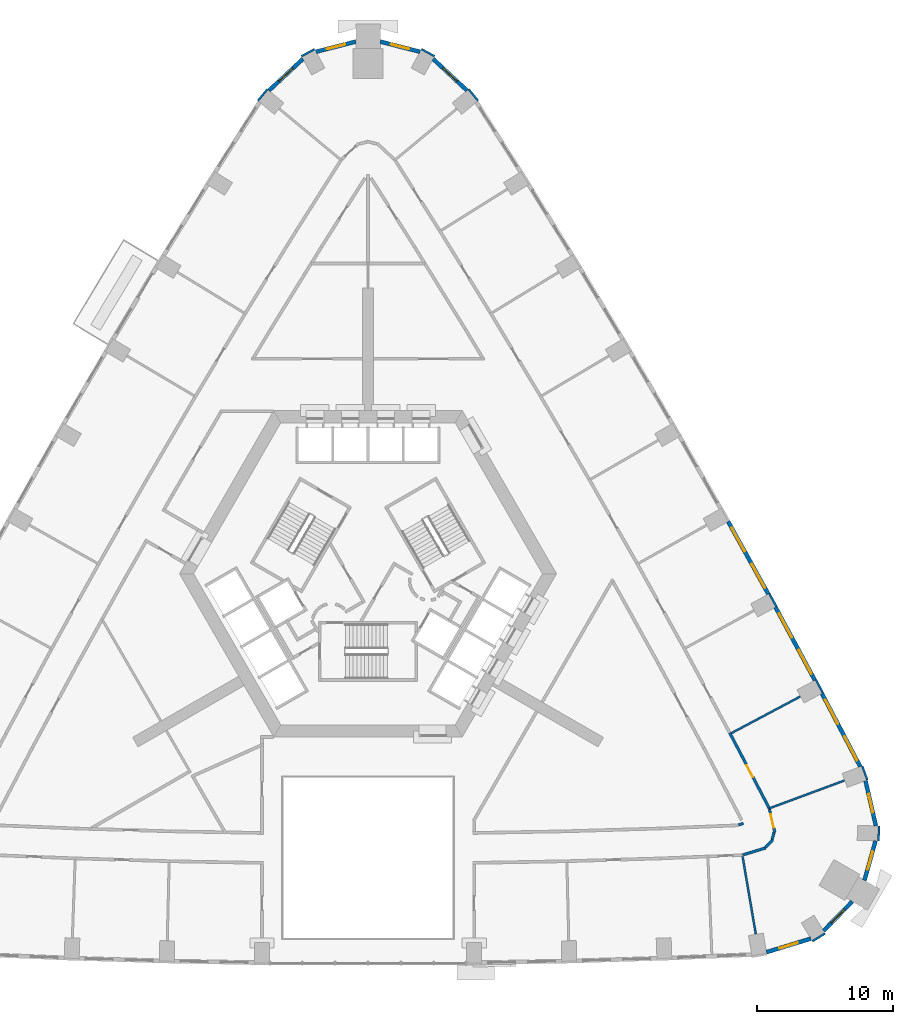
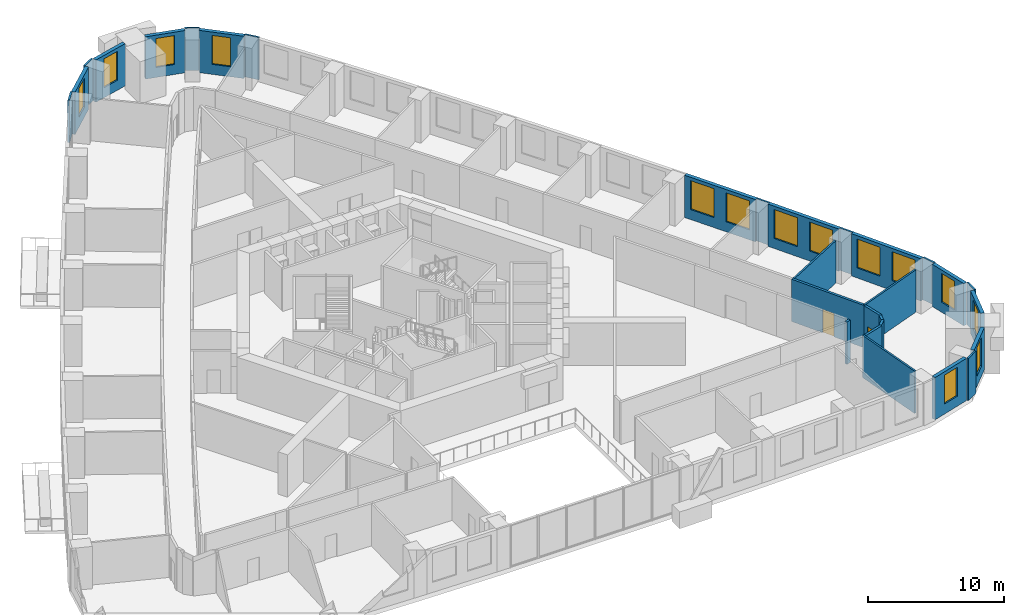
# One storey, part 11 of 16: 29 walls, 14 windows, 2 doors, 16 openings.
"""IFC4 building model written with IfcOpenShell, lengths in metres."""

from ifc_helpers import new_model, si_unit, direction, frame, frame_2d, origin, place, context, subcontext, project, spatial, rectangle, extrude, material, layer, layer_set, type_object, element, fill, save


model = new_model("IFC4")

# Units and contexts
model_context = context("Model", 3, precision=1e-05, world=origin(), true_north=direction((0.0, 1.0)))
body_context = subcontext(model_context, "Body", "Model", "MODEL_VIEW")
ifc_project = project(units=[si_unit("LENGTHUNIT", "METRE"), si_unit("AREAUNIT", "SQUARE_METRE"), si_unit("VOLUMEUNIT", "CUBIC_METRE"), si_unit("PLANEANGLEUNIT", "RADIAN"), si_unit("MASSUNIT", "GRAM", prefix="KILO")], contexts=[model_context])

# Site, building, storey
site_placement = place(None, origin())
site = spatial("IfcSite", under=ifc_project, at=site_placement, CompositionType="ELEMENT")
building_placement = place(site_placement, origin())
building = spatial("IfcBuilding", under=site, at=building_placement, Name="Entoto Arch Interchange Tower", CompositionType="ELEMENT")
storey_placement = place(building_placement, frame((0.0, 0.0, 95.0)))
storey = spatial("IfcBuildingStorey", under=building, at=storey_placement, Name="L20", CompositionType="ELEMENT", Elevation=95.0)

# Walls
ifc_material_1 = material(Name="Gypsum board partition on steel studs", Category="steel")
ifc_layer_1 = layer(ifc_material_1, 0.14990234375)
ifc_layer_set_1 = layer_set([ifc_layer_1], Name="Gypsum board partition on steel studs")
wall_type_1 = type_object("IfcWallType", Name="PARTITION 150", PredefinedType="PARTITIONING", material=ifc_layer_set_1)
wall_1_placement = place(storey_placement, frame((27.49609375, -18.073974609375, 0.0), z_axis=(0.0, 0.0, 1.0), x_axis=(0.168025125373, -0.985782712997, 0.0)))
element("IfcWall", 1, at=wall_1_placement, inside=storey, type_object=wall_type_1, Name="wall:L20:p113", PredefinedType="PARTITIONING", context=body_context, shape_type="SweptSolid", body=[
    extrude(rectangle(XDim=5.9921875, YDim=0.14990234375, at=frame_2d((2.99609375, 0.0))), origin(), (0.0, 0.0, 1.0), 3.800048828125),
])
wall_2_placement = place(storey_placement, frame((29.493896484375, -14.740966796875, 0.0), z_axis=(0.0, 0.0, 1.0), x_axis=(0.937719767819, 0.347392626636, 0.0)))
element("IfcWall", 2, at=wall_2_placement, inside=storey, type_object=wall_type_1, Name="wall:L20:p114", PredefinedType="PARTITIONING", context=body_context, shape_type="SweptSolid", body=[
    extrude(rectangle(XDim=5.89208984375, YDim=0.14990234375, at=frame_2d((2.946044921875, 0.0))), origin(), (0.0, 0.0, 1.0), 3.800048828125),
])
wall_3_placement = place(storey_placement, frame((26.708984375, -9.2109375, 0.0), z_axis=(0.0, 0.0, 1.0), x_axis=(0.883057238515, 0.46926529118, 0.0)))
element("IfcWall", 3, at=wall_3_placement, inside=storey, type_object=wall_type_1, Name="wall:L20:p115", PredefinedType="PARTITIONING", context=body_context, shape_type="SweptSolid", body=[
    extrude(rectangle(XDim=5.730224609375, YDim=0.14990234375, at=frame_2d((2.865234375, 0.0))), origin(), (0.0, 0.0, 1.0), 3.800048828125),
])
ifc_layer_2 = layer(ifc_material_1, 0.199951171875)
ifc_layer_set_2 = layer_set([ifc_layer_2], Name="Gypsum board partition on steel studs")
wall_type_2 = type_object("IfcWallType", Name="PARTITION 200", PredefinedType="PARTITIONING", material=ifc_layer_set_2)
wall_4_placement = place(storey_placement, frame((27.235107421875, -15.95703125, 0.0), z_axis=(0.0, 0.0, 1.0), x_axis=(0.956017741345, 0.293308844453, 0.0)))
element("IfcWall", 4, at=wall_4_placement, inside=storey, type_object=wall_type_2, Name="wall:L20:p015", PredefinedType="PARTITIONING", context=body_context, shape_type="SweptSolid", body=[
    extrude(rectangle(XDim=0.37548828125, YDim=0.199951171875, at=frame_2d((0.187744140625, 0.0))), origin(), (0.0, 0.0, 1.0), 3.800048828125),
])

# Wall, opening, door
wall_5_placement = place(storey_placement, frame((29.51708984375, -14.837890625, 0.0), z_axis=(0.0, 0.0, 1.0), x_axis=(0.224316169854, -0.974516421587, 0.0)))
wall_5 = element("IfcWall", 5, at=wall_5_placement, inside=storey, type_object=wall_type_2, Name="wall:L20:p035", PredefinedType="PARTITIONING", context=body_context, shape_type="SweptSolid", body=[
    extrude(rectangle(XDim=1.70654296875, YDim=0.199951171875, at=frame_2d((0.853271484375, 0.0))), origin(), (0.0, 0.0, 1.0), 3.800048828125),
])
opening_1_placement = place(wall_5_placement, frame((0.35302734375, 0.0, 0.0)))
opening_1 = element("IfcOpeningElement", 6, at=opening_1_placement, cuts=wall_5, Name="Opening L20-D04", PredefinedType="OPENING", context=body_context, shape_type="SweptSolid", body=[
    extrude(rectangle(XDim=1.0, YDim=2.10009765625, at=frame_2d((0.5, 1.050048828125))), frame((0.0, 0.10986328125, 0.0), z_axis=(0.0, -1.0, 0.0), x_axis=(1.0, 0.0, 0.0)), (0.0, 0.0, 1.0), 0.219970703125),
])
ifc_material_2 = material(Name="Timber door leaf in Steel S235 frame", Category="steel")
door_type = type_object("IfcDoorType", Name="DOOR DS-10 1000x2100", OperationType="SINGLE_SWING_LEFT", PredefinedType="DOOR", material=ifc_material_2)
door_1_placement = place(opening_1_placement, origin())
door_1 = element("IfcDoor", 7, at=door_1_placement, inside=storey, type_object=door_type, Name="door:L20:04", OperationType="SINGLE_SWING_RIGHT", OverallHeight=2.10009765625, OverallWidth=1.0, PredefinedType="DOOR", context=body_context, shape_type="SweptSolid", body=[
    extrude(rectangle(XDim=1.0, YDim=2.10009765625, at=frame_2d((0.5, 1.050048828125))), frame((0.0, 0.02490234375, 0.0), z_axis=(0.0, -1.0, 0.0), x_axis=(1.0, 0.0, 0.0)), (0.0, 0.0, 1.0), 0.050048828125),
])
fill(opening_1, door_1)

# Walls
wall_6_placement = place(storey_placement, frame((29.85107421875, -16.5, 0.0), z_axis=(0.0, 0.0, 1.0), x_axis=(-0.269792639482, -0.962918444979, 0.0)))
element("IfcWall", 8, at=wall_6_placement, inside=storey, type_object=wall_type_2, Name="wall:L20:p036", PredefinedType="PARTITIONING", context=body_context, shape_type="SweptSolid", body=[
    extrude(rectangle(XDim=0.556640625, YDim=0.199951171875, at=frame_2d((0.2783203125, 0.0))), origin(), (0.0, 0.0, 1.0), 3.800048828125),
])
wall_7_placement = place(storey_placement, frame((29.742919921875, -17.06103515625, 0.0), z_axis=(0.0, 0.0, 1.0), x_axis=(-0.698331924638, -0.715774072617, 0.0)))
element("IfcWall", 9, at=wall_7_placement, inside=storey, type_object=wall_type_2, Name="wall:L20:p037", PredefinedType="PARTITIONING", context=body_context, shape_type="SweptSolid", body=[
    extrude(rectangle(XDim=0.755859375, YDim=0.199951171875, at=frame_2d((0.3779296875, 0.0))), origin(), (0.0, 0.0, 1.0), 3.800048828125),
])
wall_8_placement = place(storey_placement, frame((29.239990234375, -17.64404296875, 0.0), z_axis=(0.0, 0.0, 1.0), x_axis=(-0.956137025409, -0.292919764852, 0.0)))
element("IfcWall", 10, at=wall_8_placement, inside=storey, type_object=wall_type_2, Name="wall:L20:p038", PredefinedType="PARTITIONING", context=body_context, shape_type="SweptSolid", body=[
    extrude(rectangle(XDim=1.70703125, YDim=0.199951171875, at=frame_2d((0.853515625, 0.0))), origin(), (0.0, 0.0, 1.0), 3.800048828125),
])

# Wall, opening, door
wall_9_placement = place(storey_placement, frame((26.5859375, -9.19091796875, 0.0), z_axis=(0.0, 0.0, 1.0), x_axis=(0.46422194761, -0.885718907643, 0.0)))
wall_9 = element("IfcWall", 11, at=wall_9_placement, inside=storey, type_object=wall_type_2, Name="wall:L20:p039", PredefinedType="PARTITIONING", context=body_context, shape_type="SweptSolid", body=[
    extrude(rectangle(XDim=6.36572265625, YDim=0.199951171875, at=frame_2d((3.182861328125, 0.0))), origin(), (0.0, 0.0, 1.0), 3.800048828125),
])
opening_2_placement = place(wall_9_placement, frame((2.68310546875, 0.0, 0.0)))
opening_2 = element("IfcOpeningElement", 12, at=opening_2_placement, cuts=wall_9, Name="Opening L20-D05", PredefinedType="OPENING", context=body_context, shape_type="SweptSolid", body=[
    extrude(rectangle(XDim=1.0, YDim=2.10009765625, at=frame_2d((0.5, 1.050048828125))), frame((0.0, 0.10986328125, 0.0), z_axis=(0.0, -1.0, 0.0), x_axis=(1.0, 0.0, 0.0)), (0.0, 0.0, 1.0), 0.219970703125),
])
door_2_placement = place(opening_2_placement, origin())
door_2 = element("IfcDoor", 13, at=door_2_placement, inside=storey, type_object=door_type, Name="door:L20:05", OperationType="SINGLE_SWING_LEFT", OverallHeight=2.10009765625, OverallWidth=1.0, PredefinedType="DOOR", context=body_context, shape_type="SweptSolid", body=[
    extrude(rectangle(XDim=1.0, YDim=2.10009765625, at=frame_2d((0.5, 1.050048828125))), frame((0.0, 0.02490234375, 0.0), z_axis=(0.0, -1.0, 0.0), x_axis=(1.0, 0.0, 0.0)), (0.0, 0.0, 1.0), 0.050048828125),
])
fill(opening_2, door_2)

# Wall, opening, window
ifc_material_3 = material(Name="Welded tuff (ignimbrite) cladding, warm buff", Category="masonry")
ifc_layer_3 = layer(ifc_material_3, 0.300048828125)
ifc_layer_set_3 = layer_set([ifc_layer_3], Name="Welded tuff (ignimbrite) cladding, warm buff")
wall_type_3 = type_object("IfcWallType", Name="STONE INFILL WALL 300", PredefinedType="STANDARD", material=ifc_layer_set_3)
wall_10_placement = place(storey_placement, frame((29.2880859375, -25.31591796875, 0.0), z_axis=(0.0, 0.0, 1.0), x_axis=(0.956317661006, 0.292329490895, 0.0)))
wall_10 = element("IfcWall", 14, at=wall_10_placement, inside=storey, type_object=wall_type_3, Name="Facade wall SE-01 L20", PredefinedType="STANDARD", context=body_context, shape_type="SweptSolid", body=[
    extrude(rectangle(XDim=3.409912109375, YDim=0.300048828125, at=frame_2d((1.705078125, 0.0))), origin(), (0.0, 0.0, 1.0), 3.800048828125),
])
opening_3_placement = place(wall_10_placement, frame((1.0048828125, 0.0, 0.89990234375)))
opening_3 = element("IfcOpeningElement", 15, at=opening_3_placement, cuts=wall_10, Name="Opening WO-B", PredefinedType="OPENING", context=body_context, shape_type="SweptSolid", body=[
    extrude(rectangle(XDim=1.39990234375, YDim=2.60009765625, at=frame_2d((0.699951171875, 1.300048828125))), frame((0.0, 0.16015625, 0.0), z_axis=(0.0, -1.0, 0.0), x_axis=(1.0, 0.0, 0.0)), (0.0, 0.0, 1.0), 0.320068359375),
])
ifc_material_4 = material(Name="Clear glass, low-e double glazed", Category="glass")
window_type_1 = type_object("IfcWindowType", Name="WINDOW WO-B 1400x2600", PartitioningType="DOUBLE_PANEL_VERTICAL", PredefinedType="WINDOW", material=ifc_material_4)
window_1_placement = place(opening_3_placement, origin())
window_1 = element("IfcWindow", 16, at=window_1_placement, inside=storey, type_object=window_type_1, Name="Window WO-B SE-01 L20", OverallHeight=2.60009765625, OverallWidth=1.39990234375, PartitioningType="SINGLE_PANEL", PredefinedType="WINDOW", context=body_context, shape_type="SweptSolid", body=[
    extrude(rectangle(XDim=1.39990234375, YDim=2.60009765625, at=frame_2d((0.699951171875, 1.300048828125))), frame((0.0, 0.030029296875, 0.0), z_axis=(0.0, -1.0, 0.0), x_axis=(1.0, 0.0, 0.0)), (0.0, 0.0, 1.0), 0.06005859375),
])
fill(opening_3, window_1)

wall_11_placement = place(storey_placement, frame((33.486083984375, -23.7470703125, 0.0), z_axis=(0.0, 0.0, 1.0), x_axis=(0.698928244773, 0.715191798512, 0.0)))
wall_11 = element("IfcWall", 17, at=wall_11_placement, inside=storey, type_object=wall_type_3, Name="Facade wall SE-02 L20", PredefinedType="STANDARD", context=body_context, shape_type="SweptSolid", body=[
    extrude(rectangle(XDim=3.017333984375, YDim=0.300048828125, at=frame_2d((1.5087890625, 0.0))), origin(), (0.0, 0.0, 1.0), 3.800048828125),
])
opening_4_placement = place(wall_11_placement, frame((0.80908203125, 0.0, 0.89990234375)))
opening_4 = element("IfcOpeningElement", 18, at=opening_4_placement, cuts=wall_11, Name="Opening WO-B", PredefinedType="OPENING", context=body_context, shape_type="SweptSolid", body=[
    extrude(rectangle(XDim=1.39990234375, YDim=2.60009765625, at=frame_2d((0.699951171875, 1.300048828125))), frame((0.0, 0.16015625, 0.0), z_axis=(0.0, -1.0, 0.0), x_axis=(1.0, 0.0, 0.0)), (0.0, 0.0, 1.0), 0.320068359375),
])
window_2_placement = place(opening_4_placement, origin())
window_2 = element("IfcWindow", 19, at=window_2_placement, inside=storey, type_object=window_type_1, Name="Window WO-B SE-02 L20", OverallHeight=2.60009765625, OverallWidth=1.39990234375, PartitioningType="SINGLE_PANEL", PredefinedType="WINDOW", context=body_context, shape_type="SweptSolid", body=[
    extrude(rectangle(XDim=1.39990234375, YDim=2.60009765625, at=frame_2d((0.699951171875, 1.300048828125))), frame((0.0, 0.030029296875, 0.0), z_axis=(0.0, -1.0, 0.0), x_axis=(1.0, 0.0, 0.0)), (0.0, 0.0, 1.0), 0.06005859375),
])
fill(opening_4, window_2)

wall_12_placement = place(storey_placement, frame((36.493896484375, -20.031982421875, 0.0), z_axis=(0.0, 0.0, 1.0), x_axis=(0.270176120308, 0.962810918102, 0.0)))
wall_12 = element("IfcWall", 20, at=wall_12_placement, inside=storey, type_object=wall_type_3, Name="Facade wall SE-03 L20", PredefinedType="STANDARD", context=body_context, shape_type="SweptSolid", body=[
    extrude(rectangle(XDim=3.017333984375, YDim=0.300048828125, at=frame_2d((1.5087890625, 0.0))), origin(), (0.0, 0.0, 1.0), 3.800048828125),
])
opening_5_placement = place(wall_12_placement, frame((0.80908203125, 0.0, 0.89990234375)))
opening_5 = element("IfcOpeningElement", 21, at=opening_5_placement, cuts=wall_12, Name="Opening WO-B", PredefinedType="OPENING", context=body_context, shape_type="SweptSolid", body=[
    extrude(rectangle(XDim=1.39990234375, YDim=2.60009765625, at=frame_2d((0.699951171875, 1.300048828125))), frame((0.0, 0.16015625, 0.0), z_axis=(0.0, -1.0, 0.0), x_axis=(1.0, 0.0, 0.0)), (0.0, 0.0, 1.0), 0.320068359375),
])
window_3_placement = place(opening_5_placement, origin())
window_3 = element("IfcWindow", 22, at=window_3_placement, inside=storey, type_object=window_type_1, Name="Window WO-B SE-03 L20", OverallHeight=2.60009765625, OverallWidth=1.39990234375, PartitioningType="SINGLE_PANEL", PredefinedType="WINDOW", context=body_context, shape_type="SweptSolid", body=[
    extrude(rectangle(XDim=1.39990234375, YDim=2.60009765625, at=frame_2d((0.699951171875, 1.300048828125))), frame((0.0, 0.030029296875, 0.0), z_axis=(0.0, -1.0, 0.0), x_axis=(1.0, 0.0, 0.0)), (0.0, 0.0, 1.0), 0.06005859375),
])
fill(opening_5, window_3)

wall_13_placement = place(storey_placement, frame((37.3349609375, -16.029052734375, 0.0), z_axis=(0.0, 0.0, 1.0), x_axis=(-0.224859506699, 0.974391195695, 0.0)))
wall_13 = element("IfcWall", 23, at=wall_13_placement, inside=storey, type_object=wall_type_3, Name="Facade wall SE-04 L20", PredefinedType="STANDARD", context=body_context, shape_type="SweptSolid", body=[
    extrude(rectangle(XDim=3.410400390625, YDim=0.300048828125, at=frame_2d((1.705078125, 0.0))), origin(), (0.0, 0.0, 1.0), 3.800048828125),
])
opening_6_placement = place(wall_13_placement, frame((1.0048828125, 0.0, 0.89990234375)))
opening_6 = element("IfcOpeningElement", 24, at=opening_6_placement, cuts=wall_13, Name="Opening WO-B", PredefinedType="OPENING", context=body_context, shape_type="SweptSolid", body=[
    extrude(rectangle(XDim=1.39990234375, YDim=2.60009765625, at=frame_2d((0.699951171875, 1.300048828125))), frame((0.0, 0.16015625, 0.0), z_axis=(0.0, -1.0, 0.0), x_axis=(1.0, 0.0, 0.0)), (0.0, 0.0, 1.0), 0.320068359375),
])
window_4_placement = place(opening_6_placement, origin())
window_4 = element("IfcWindow", 25, at=window_4_placement, inside=storey, type_object=window_type_1, Name="Window WO-B SE-04 L20", OverallHeight=2.60009765625, OverallWidth=1.39990234375, PartitioningType="SINGLE_PANEL", PredefinedType="WINDOW", context=body_context, shape_type="SweptSolid", body=[
    extrude(rectangle(XDim=1.39990234375, YDim=2.60009765625, at=frame_2d((0.699951171875, 1.300048828125))), frame((0.0, 0.030029296875, 0.0), z_axis=(0.0, -1.0, 0.0), x_axis=(1.0, 0.0, 0.0)), (0.0, 0.0, 1.0), 0.06005859375),
])
fill(opening_6, window_4)

# Wall, openings, windows
wall_14_placement = place(storey_placement, frame((36.18603515625, -11.676025390625, 0.0), z_axis=(0.0, 0.0, 1.0), x_axis=(-0.464187178015, 0.885737130173, 0.0)))
wall_14 = element("IfcWall", 26, at=wall_14_placement, inside=storey, type_object=wall_type_3, Name="Facade wall NE-01 L20", PredefinedType="STANDARD", context=body_context, shape_type="SweptSolid", body=[
    extrude(rectangle(XDim=6.0751953125, YDim=0.300048828125, at=frame_2d((3.03759765625, 0.0))), origin(), (0.0, 0.0, 1.0), 3.800048828125),
])
opening_7_placement = place(wall_14_placement, frame((0.51904296875, 0.0, 0.89990234375)))
opening_7 = element("IfcOpeningElement", 27, at=opening_7_placement, cuts=wall_14, Name="Opening WO-C", PredefinedType="OPENING", context=body_context, shape_type="SweptSolid", body=[
    extrude(rectangle(XDim=2.0, YDim=2.60009765625, at=frame_2d((1.0, 1.300048828125))), frame((0.0, 0.16015625, 0.0), z_axis=(0.0, -1.0, 0.0), x_axis=(1.0, 0.0, 0.0)), (0.0, 0.0, 1.0), 0.320068359375),
])
opening_8_placement = place(wall_14_placement, frame((3.555908203125, 0.0, 0.89990234375)))
opening_8 = element("IfcOpeningElement", 28, at=opening_8_placement, cuts=wall_14, Name="Opening WO-C", PredefinedType="OPENING", context=body_context, shape_type="SweptSolid", body=[
    extrude(rectangle(XDim=2.0, YDim=2.60009765625, at=frame_2d((1.0, 1.300048828125))), frame((0.0, 0.16015625, 0.0), z_axis=(0.0, -1.0, 0.0), x_axis=(1.0, 0.0, 0.0)), (0.0, 0.0, 1.0), 0.320068359375),
])
window_type_2 = type_object("IfcWindowType", Name="WINDOW WO-C 2000x2600", PartitioningType="DOUBLE_PANEL_VERTICAL", PredefinedType="WINDOW", material=ifc_material_4)
window_5_placement = place(opening_7_placement, origin())
window_5 = element("IfcWindow", 29, at=window_5_placement, inside=storey, type_object=window_type_2, Name="Window WO-C NE-01 L20", OverallHeight=2.60009765625, OverallWidth=2.0, PartitioningType="SINGLE_PANEL", PredefinedType="WINDOW", context=body_context, shape_type="SweptSolid", body=[
    extrude(rectangle(XDim=2.0, YDim=2.60009765625, at=frame_2d((1.0, 1.300048828125))), frame((0.0, 0.030029296875, 0.0), z_axis=(0.0, -1.0, 0.0), x_axis=(1.0, 0.0, 0.0)), (0.0, 0.0, 1.0), 0.06005859375),
])
fill(opening_7, window_5)
window_6_placement = place(opening_8_placement, origin())
window_6 = element("IfcWindow", 30, at=window_6_placement, inside=storey, type_object=window_type_2, Name="Window WO-C NE-01 L20", OverallHeight=2.60009765625, OverallWidth=2.0, PartitioningType="SINGLE_PANEL", PredefinedType="WINDOW", context=body_context, shape_type="SweptSolid", body=[
    extrude(rectangle(XDim=2.0, YDim=2.60009765625, at=frame_2d((1.0, 1.300048828125))), frame((0.0, 0.030029296875, 0.0), z_axis=(0.0, -1.0, 0.0), x_axis=(1.0, 0.0, 0.0)), (0.0, 0.0, 1.0), 0.06005859375),
])
fill(opening_8, window_6)

wall_15_placement = place(storey_placement, frame((32.85107421875, -5.324951171875, 0.0), z_axis=(0.0, 0.0, 1.0), x_axis=(-0.474369552216, 0.880325807829, 0.0)))
wall_15 = element("IfcWall", 31, at=wall_15_placement, inside=storey, type_object=wall_type_3, Name="Facade wall NE-02 L20", PredefinedType="STANDARD", context=body_context, shape_type="SweptSolid", body=[
    extrude(rectangle(XDim=6.098876953125, YDim=0.300048828125, at=frame_2d((3.04931640625, 0.0))), origin(), (0.0, 0.0, 1.0), 3.800048828125),
])
opening_9_placement = place(wall_15_placement, frame((0.52490234375, 0.0, 0.89990234375)))
opening_9 = element("IfcOpeningElement", 32, at=opening_9_placement, cuts=wall_15, Name="Opening WO-C", PredefinedType="OPENING", context=body_context, shape_type="SweptSolid", body=[
    extrude(rectangle(XDim=2.0, YDim=2.60009765625, at=frame_2d((1.0, 1.300048828125))), frame((0.0, 0.16015625, 0.0), z_axis=(0.0, -1.0, 0.0), x_axis=(1.0, 0.0, 0.0)), (0.0, 0.0, 1.0), 0.320068359375),
])
opening_10_placement = place(wall_15_placement, frame((3.573974609375, 0.0, 0.89990234375)))
opening_10 = element("IfcOpeningElement", 33, at=opening_10_placement, cuts=wall_15, Name="Opening WO-C", PredefinedType="OPENING", context=body_context, shape_type="SweptSolid", body=[
    extrude(rectangle(XDim=2.0, YDim=2.60009765625, at=frame_2d((1.0, 1.300048828125))), frame((0.0, 0.16015625, 0.0), z_axis=(0.0, -1.0, 0.0), x_axis=(1.0, 0.0, 0.0)), (0.0, 0.0, 1.0), 0.320068359375),
])
window_7_placement = place(opening_9_placement, origin())
window_7 = element("IfcWindow", 34, at=window_7_placement, inside=storey, type_object=window_type_2, Name="Window WO-C NE-02 L20", OverallHeight=2.60009765625, OverallWidth=2.0, PartitioningType="SINGLE_PANEL", PredefinedType="WINDOW", context=body_context, shape_type="SweptSolid", body=[
    extrude(rectangle(XDim=2.0, YDim=2.60009765625, at=frame_2d((1.0, 1.300048828125))), frame((0.0, 0.030029296875, 0.0), z_axis=(0.0, -1.0, 0.0), x_axis=(1.0, 0.0, 0.0)), (0.0, 0.0, 1.0), 0.06005859375),
])
fill(opening_9, window_7)
window_8_placement = place(opening_10_placement, origin())
window_8 = element("IfcWindow", 35, at=window_8_placement, inside=storey, type_object=window_type_2, Name="Window WO-C NE-02 L20", OverallHeight=2.60009765625, OverallWidth=2.0, PartitioningType="SINGLE_PANEL", PredefinedType="WINDOW", context=body_context, shape_type="SweptSolid", body=[
    extrude(rectangle(XDim=2.0, YDim=2.60009765625, at=frame_2d((1.0, 1.300048828125))), frame((0.0, 0.030029296875, 0.0), z_axis=(0.0, -1.0, 0.0), x_axis=(1.0, 0.0, 0.0)), (0.0, 0.0, 1.0), 0.06005859375),
])
fill(opening_10, window_8)

wall_16_placement = place(storey_placement, frame((29.430908203125, 1.007080078125, 0.0), z_axis=(0.0, 0.0, 1.0), x_axis=(-0.484823579315, 0.874611969356, 0.0)))
wall_16 = element("IfcWall", 36, at=wall_16_placement, inside=storey, type_object=wall_type_3, Name="Facade wall NE-03 L20", PredefinedType="STANDARD", context=body_context, shape_type="SweptSolid", body=[
    extrude(rectangle(XDim=6.0986328125, YDim=0.300048828125, at=frame_2d((3.04931640625, 0.0))), origin(), (0.0, 0.0, 1.0), 3.800048828125),
])
opening_11_placement = place(wall_16_placement, frame((0.52490234375, 0.0, 0.89990234375)))
opening_11 = element("IfcOpeningElement", 37, at=opening_11_placement, cuts=wall_16, Name="Opening WO-C", PredefinedType="OPENING", context=body_context, shape_type="SweptSolid", body=[
    extrude(rectangle(XDim=2.0, YDim=2.60009765625, at=frame_2d((1.0, 1.300048828125))), frame((0.0, 0.16015625, 0.0), z_axis=(0.0, -1.0, 0.0), x_axis=(1.0, 0.0, 0.0)), (0.0, 0.0, 1.0), 0.320068359375),
])
opening_12_placement = place(wall_16_placement, frame((3.573974609375, 0.0, 0.89990234375)))
opening_12 = element("IfcOpeningElement", 38, at=opening_12_placement, cuts=wall_16, Name="Opening WO-C", PredefinedType="OPENING", context=body_context, shape_type="SweptSolid", body=[
    extrude(rectangle(XDim=2.0, YDim=2.60009765625, at=frame_2d((1.0, 1.300048828125))), frame((0.0, 0.16015625, 0.0), z_axis=(0.0, -1.0, 0.0), x_axis=(1.0, 0.0, 0.0)), (0.0, 0.0, 1.0), 0.320068359375),
])
window_9_placement = place(opening_11_placement, origin())
window_9 = element("IfcWindow", 39, at=window_9_placement, inside=storey, type_object=window_type_2, Name="Window WO-C NE-03 L20", OverallHeight=2.60009765625, OverallWidth=2.0, PartitioningType="SINGLE_PANEL", PredefinedType="WINDOW", context=body_context, shape_type="SweptSolid", body=[
    extrude(rectangle(XDim=2.0, YDim=2.60009765625, at=frame_2d((1.0, 1.300048828125))), frame((0.0, 0.030029296875, 0.0), z_axis=(0.0, -1.0, 0.0), x_axis=(1.0, 0.0, 0.0)), (0.0, 0.0, 1.0), 0.06005859375),
])
fill(opening_11, window_9)
window_10_placement = place(opening_12_placement, origin())
window_10 = element("IfcWindow", 40, at=window_10_placement, inside=storey, type_object=window_type_2, Name="Window WO-C NE-03 L20", OverallHeight=2.60009765625, OverallWidth=2.0, PartitioningType="SINGLE_PANEL", PredefinedType="WINDOW", context=body_context, shape_type="SweptSolid", body=[
    extrude(rectangle(XDim=2.0, YDim=2.60009765625, at=frame_2d((1.0, 1.300048828125))), frame((0.0, 0.030029296875, 0.0), z_axis=(0.0, -1.0, 0.0), x_axis=(1.0, 0.0, 0.0)), (0.0, 0.0, 1.0), 0.06005859375),
])
fill(opening_12, window_10)

# Wall, opening, window
wall_17_placement = place(storey_placement, frame((7.281005859375, 38.02197265625, 0.0), z_axis=(0.0, 0.0, 1.0), x_axis=(-0.731614451791, 0.681718632525, 0.0)))
wall_17 = element("IfcWall", 41, at=wall_17_placement, inside=storey, type_object=wall_type_3, Name="Facade wall N-01 L20", PredefinedType="STANDARD", context=body_context, shape_type="SweptSolid", body=[
    extrude(rectangle(XDim=3.410400390625, YDim=0.300048828125, at=frame_2d((1.705078125, 0.0))), origin(), (0.0, 0.0, 1.0), 3.800048828125),
])
opening_13_placement = place(wall_17_placement, frame((1.0048828125, 0.0, 0.89990234375)))
opening_13 = element("IfcOpeningElement", 42, at=opening_13_placement, cuts=wall_17, Name="Opening WO-B", PredefinedType="OPENING", context=body_context, shape_type="SweptSolid", body=[
    extrude(rectangle(XDim=1.39990234375, YDim=2.60009765625, at=frame_2d((0.699951171875, 1.300048828125))), frame((0.0, 0.16015625, 0.0), z_axis=(0.0, -1.0, 0.0), x_axis=(1.0, 0.0, 0.0)), (0.0, 0.0, 1.0), 0.320068359375),
])
window_11_placement = place(opening_13_placement, origin())
window_11 = element("IfcWindow", 43, at=window_11_placement, inside=storey, type_object=window_type_1, Name="Window WO-B N-01 L20", OverallHeight=2.60009765625, OverallWidth=1.39990234375, PartitioningType="SINGLE_PANEL", PredefinedType="WINDOW", context=body_context, shape_type="SweptSolid", body=[
    extrude(rectangle(XDim=1.39990234375, YDim=2.60009765625, at=frame_2d((0.699951171875, 1.300048828125))), frame((0.0, 0.030029296875, 0.0), z_axis=(0.0, -1.0, 0.0), x_axis=(1.0, 0.0, 0.0)), (0.0, 0.0, 1.0), 0.06005859375),
])
fill(opening_13, window_11)

wall_18_placement = place(storey_placement, frame((3.822998046875, 40.873046875, 0.0), z_axis=(0.0, 0.0, 1.0), x_axis=(-0.96887809306, 0.247538362258, 0.0)))
wall_18 = element("IfcWall", 44, at=wall_18_placement, inside=storey, type_object=wall_type_3, Name="Facade wall N-02 L20", PredefinedType="STANDARD", context=body_context, shape_type="SweptSolid", body=[
    extrude(rectangle(XDim=3.01806640625, YDim=0.300048828125, at=frame_2d((1.509033203125, 0.0))), origin(), (0.0, 0.0, 1.0), 3.800048828125),
])
opening_14_placement = place(wall_18_placement, frame((0.80908203125, 0.0, 0.89990234375)))
opening_14 = element("IfcOpeningElement", 45, at=opening_14_placement, cuts=wall_18, Name="Opening WO-B", PredefinedType="OPENING", context=body_context, shape_type="SweptSolid", body=[
    extrude(rectangle(XDim=1.39990234375, YDim=2.60009765625, at=frame_2d((0.699951171875, 1.300048828125))), frame((0.0, 0.16015625, 0.0), z_axis=(0.0, -1.0, 0.0), x_axis=(1.0, 0.0, 0.0)), (0.0, 0.0, 1.0), 0.320068359375),
])
window_12_placement = place(opening_14_placement, origin())
window_12 = element("IfcWindow", 46, at=window_12_placement, inside=storey, type_object=window_type_1, Name="Window WO-B N-02 L20", OverallHeight=2.60009765625, OverallWidth=1.39990234375, PartitioningType="SINGLE_PANEL", PredefinedType="WINDOW", context=body_context, shape_type="SweptSolid", body=[
    extrude(rectangle(XDim=1.39990234375, YDim=2.60009765625, at=frame_2d((0.699951171875, 1.300048828125))), frame((0.0, 0.030029296875, 0.0), z_axis=(0.0, -1.0, 0.0), x_axis=(1.0, 0.0, 0.0)), (0.0, 0.0, 1.0), 0.06005859375),
])
fill(opening_14, window_12)

wall_19_placement = place(storey_placement, frame((-0.89892578125, 41.6201171875, 0.0), z_axis=(0.0, 0.0, 1.0), x_axis=(-0.96887809306, -0.247538362258, 0.0)))
wall_19 = element("IfcWall", 47, at=wall_19_placement, inside=storey, type_object=wall_type_3, Name="Facade wall N-03 L20", PredefinedType="STANDARD", context=body_context, shape_type="SweptSolid", body=[
    extrude(rectangle(XDim=3.01806640625, YDim=0.300048828125, at=frame_2d((1.509033203125, 0.0))), origin(), (0.0, 0.0, 1.0), 3.800048828125),
])
opening_15_placement = place(wall_19_placement, frame((0.80908203125, 0.0, 0.89990234375)))
opening_15 = element("IfcOpeningElement", 48, at=opening_15_placement, cuts=wall_19, Name="Opening WO-B", PredefinedType="OPENING", context=body_context, shape_type="SweptSolid", body=[
    extrude(rectangle(XDim=1.39990234375, YDim=2.60009765625, at=frame_2d((0.699951171875, 1.300048828125))), frame((0.0, 0.16015625, 0.0), z_axis=(0.0, -1.0, 0.0), x_axis=(1.0, 0.0, 0.0)), (0.0, 0.0, 1.0), 0.320068359375),
])
window_13_placement = place(opening_15_placement, origin())
window_13 = element("IfcWindow", 49, at=window_13_placement, inside=storey, type_object=window_type_1, Name="Window WO-B N-03 L20", OverallHeight=2.60009765625, OverallWidth=1.39990234375, PartitioningType="SINGLE_PANEL", PredefinedType="WINDOW", context=body_context, shape_type="SweptSolid", body=[
    extrude(rectangle(XDim=1.39990234375, YDim=2.60009765625, at=frame_2d((0.699951171875, 1.300048828125))), frame((0.0, 0.030029296875, 0.0), z_axis=(0.0, -1.0, 0.0), x_axis=(1.0, 0.0, 0.0)), (0.0, 0.0, 1.0), 0.06005859375),
])
fill(opening_15, window_13)

wall_20_placement = place(storey_placement, frame((-4.785888671875, 40.346923828125, 0.0), z_axis=(0.0, 0.0, 1.0), x_axis=(-0.731614451791, -0.681718632525, 0.0)))
wall_20 = element("IfcWall", 50, at=wall_20_placement, inside=storey, type_object=wall_type_3, Name="Facade wall N-04 L20", PredefinedType="STANDARD", context=body_context, shape_type="SweptSolid", body=[
    extrude(rectangle(XDim=3.410400390625, YDim=0.300048828125, at=frame_2d((1.705078125, 0.0))), origin(), (0.0, 0.0, 1.0), 3.800048828125),
])
opening_16_placement = place(wall_20_placement, frame((1.0048828125, 0.0, 0.89990234375)))
opening_16 = element("IfcOpeningElement", 51, at=opening_16_placement, cuts=wall_20, Name="Opening WO-B", PredefinedType="OPENING", context=body_context, shape_type="SweptSolid", body=[
    extrude(rectangle(XDim=1.39990234375, YDim=2.60009765625, at=frame_2d((0.699951171875, 1.300048828125))), frame((0.0, 0.16015625, 0.0), z_axis=(0.0, -1.0, 0.0), x_axis=(1.0, 0.0, 0.0)), (0.0, 0.0, 1.0), 0.320068359375),
])
window_14_placement = place(opening_16_placement, origin())
window_14 = element("IfcWindow", 52, at=window_14_placement, inside=storey, type_object=window_type_1, Name="Window WO-B N-04 L20", OverallHeight=2.60009765625, OverallWidth=1.39990234375, PartitioningType="SINGLE_PANEL", PredefinedType="WINDOW", context=body_context, shape_type="SweptSolid", body=[
    extrude(rectangle(XDim=1.39990234375, YDim=2.60009765625, at=frame_2d((0.699951171875, 1.300048828125))), frame((0.0, 0.030029296875, 0.0), z_axis=(0.0, -1.0, 0.0), x_axis=(1.0, 0.0, 0.0)), (0.0, 0.0, 1.0), 0.06005859375),
])
fill(opening_16, window_14)

# Walls
ifc_layer_4 = layer(ifc_material_3, 0.14990234375)
ifc_layer_set_4 = layer_set([ifc_layer_4], Name="Welded tuff (ignimbrite) cladding, warm buff")
wall_type_4 = type_object("IfcWallType", Name="STONE PIER CLADDING 150", PredefinedType="STANDARD", material=ifc_layer_set_4)
for number, where, z_axis, x_axis, name in (
    (53, (4.89306640625, 40.5390625, 0.0), (0.0, 0.0, 1.0), (-0.877556336627, 0.479473540507, 0.0), "Stone pier N1 L20"),
    (54, (-3.927001953125, 41.06689453125, 0.0), (0.0, 0.0, 1.0), (-0.877556336627, -0.479473540507, 0.0), "Stone pier N3 L20"),
):
    element("IfcWall", number, at=place(storey_placement, frame(where, z_axis=z_axis, x_axis=x_axis)), inside=storey, type_object=wall_type_4, Name=name, PredefinedType="STANDARD", context=body_context, shape_type="SweptSolid", body=[
        extrude(rectangle(XDim=1.100830078125, YDim=0.14990234375, at=frame_2d((0.55029296875, 0.0))), origin(), (0.0, 0.0, 1.0), 3.800048828125),
    ])
wall_21_placement = place(storey_placement, frame((36.7060546875, -12.656005859375, 0.0), z_axis=(0.0, 0.0, 1.0), x_axis=(-0.347205967468, 0.937788897436, 0.0)))
element("IfcWall", 55, at=wall_21_placement, inside=storey, type_object=wall_type_4, Name="Stone pier NE01 L20", PredefinedType="STANDARD", context=body_context, shape_type="SweptSolid", body=[
    extrude(rectangle(XDim=1.100341796875, YDim=0.14990234375, at=frame_2d((0.55029296875, 0.0))), origin(), (0.0, 0.0, 1.0), 3.800048828125),
])
wall_22_placement = place(storey_placement, frame((33.43603515625, -6.259033203125, 0.0), z_axis=(0.0, 0.0, 1.0), x_axis=(-0.469366248657, 0.883003581319, 0.0)))
element("IfcWall", 56, at=wall_22_placement, inside=storey, type_object=wall_type_4, Name="Stone pier NE02 L20", PredefinedType="STANDARD", context=body_context, shape_type="SweptSolid", body=[
    extrude(rectangle(XDim=1.099609375, YDim=0.14990234375, at=frame_2d((0.5498046875, 0.0))), origin(), (0.0, 0.0, 1.0), 3.800048828125),
])
wall_23_placement = place(storey_placement, frame((30.027099609375, 0.080078125, 0.0), z_axis=(0.0, 0.0, 1.0), x_axis=(-0.479737645119, 0.877411985247, 0.0)))
element("IfcWall", 57, at=wall_23_placement, inside=storey, type_object=wall_type_4, Name="Stone pier NE03 L20", PredefinedType="STANDARD", context=body_context, shape_type="SweptSolid", body=[
    extrude(rectangle(XDim=1.100830078125, YDim=0.14990234375, at=frame_2d((0.55029296875, 0.0))), origin(), (0.0, 0.0, 1.0), 3.800048828125),
])
for number, where, z_axis, x_axis, name in (
    (58, (8.094970703125, 37.27001953125, 0.0), (0.0, 0.0, 1.0), (-0.638544483078, 0.769584916127, 0.0), "Stone pier NE09 L20"),
    (59, (-7.39306640625, 38.115966796875, 0.0), (0.0, 0.0, 1.0), (-0.638544483078, -0.769584916127, 0.0), "Stone pier NW01 L20"),
):
    element("IfcWall", number, at=place(storey_placement, frame(where, z_axis=z_axis, x_axis=x_axis)), inside=storey, type_object=wall_type_4, Name=name, PredefinedType="STANDARD", context=body_context, shape_type="SweptSolid", body=[
        extrude(rectangle(XDim=1.09912109375, YDim=0.14990234375, at=frame_2d((0.549560546875, 0.0))), origin(), (0.0, 0.0, 1.0), 3.800048828125),
    ])
for number, where, z_axis, x_axis, name in (
    (60, (32.662109375, -24.507080078125, 0.0), (0.0, 0.0, 1.0), (0.854245682901, 0.519869515594, 0.0), "Stone pier SE1 L20"),
    (61, (37.529052734375, -17.133056640625, 0.0), (0.0, 0.0, 1.0), (0.023517683673, 0.999723421029, 0.0), "Stone pier SE3 L20"),
):
    element("IfcWall", number, at=place(storey_placement, frame(where, z_axis=z_axis, x_axis=x_axis)), inside=storey, type_object=wall_type_4, Name=name, PredefinedType="STANDARD", context=body_context, shape_type="SweptSolid", body=[
        extrude(rectangle(XDim=1.100341796875, YDim=0.14990234375, at=frame_2d((0.55029296875, 0.0))), origin(), (0.0, 0.0, 1.0), 3.800048828125),
    ])

save(model, "model.ifc")
